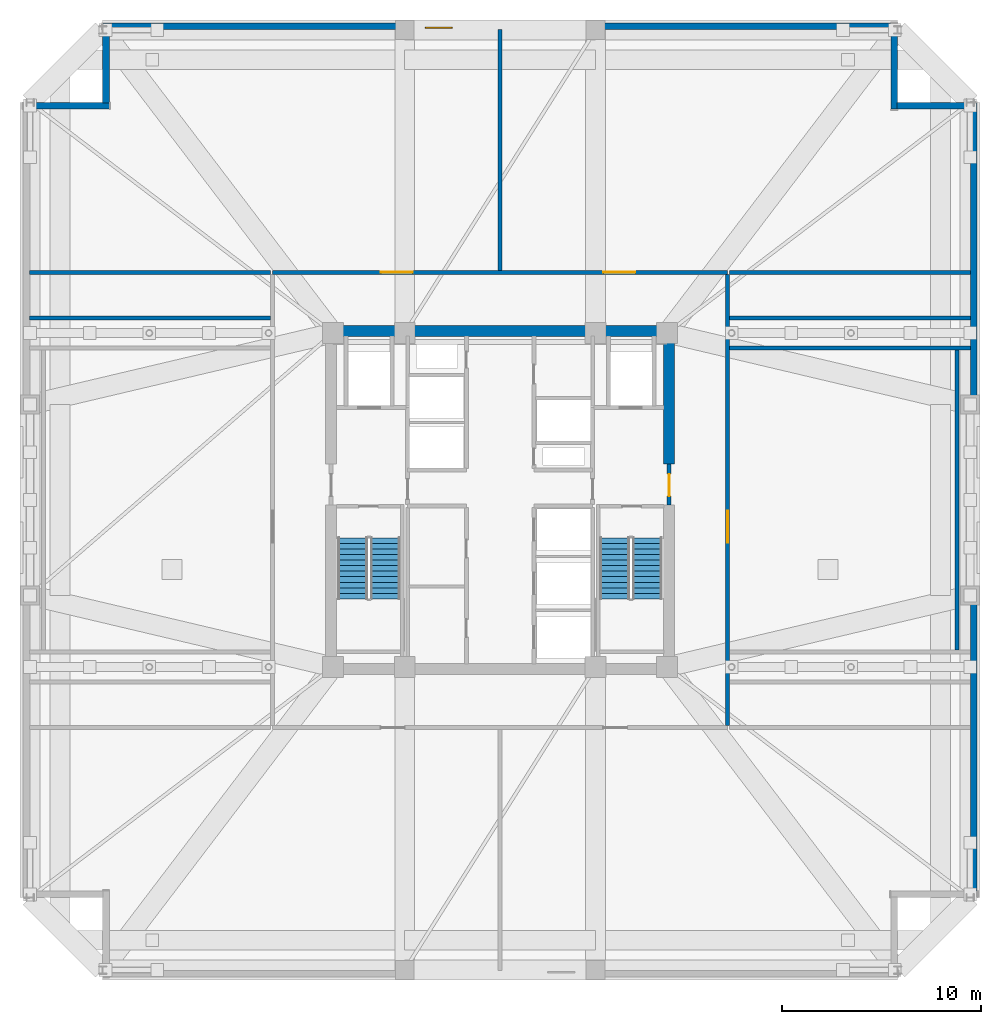
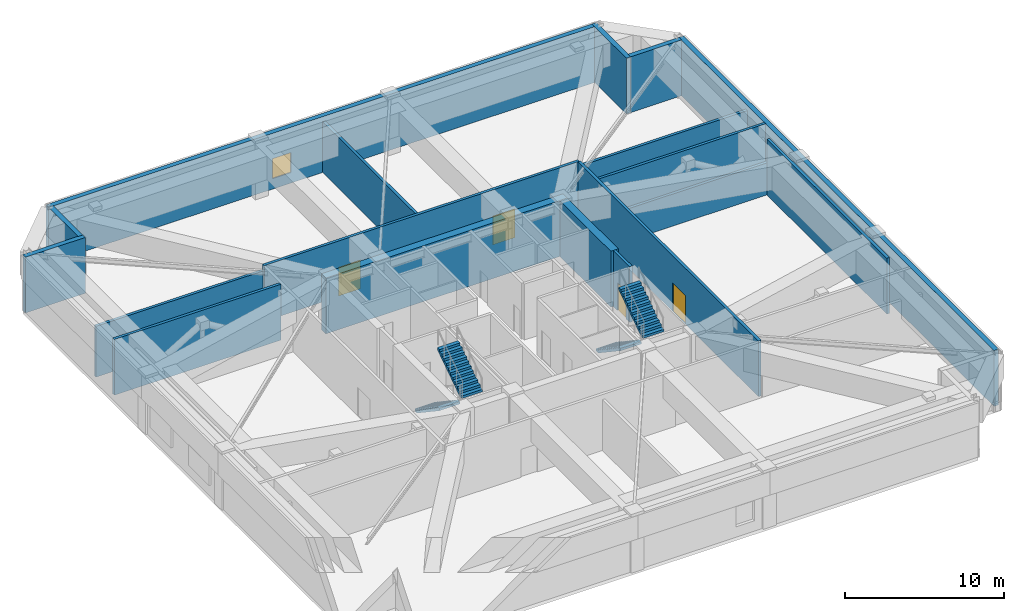
# One storey, part 9 of 13: 18 walls, 4 doors, 4 stair flights, 1 window, 5 openings, 2 elements without a shape of their own.
"""IFC4 building model written with IfcOpenShell, lengths in metres."""

from ifc_helpers import new_model, si_unit, direction, frame, frame_2d, origin, place, context, subcontext, project, spatial, polyline, rectangle, outline, extrude, material, layer, layer_set, type_object, element, fill, aggregate, save


model = new_model("IFC4")

# Units and contexts
model_context = context("Model", 3, precision=1e-05, world=origin(), true_north=direction((0.0, 1.0)))
body_context = subcontext(model_context, "Body", "Model", "MODEL_VIEW")
ifc_project = project(units=[si_unit("LENGTHUNIT", "METRE"), si_unit("AREAUNIT", "SQUARE_METRE"), si_unit("VOLUMEUNIT", "CUBIC_METRE"), si_unit("PLANEANGLEUNIT", "RADIAN"), si_unit("MASSUNIT", "GRAM", prefix="KILO")], contexts=[model_context])

# Site, building, storey
site_placement = place(None, origin())
site = spatial("IfcSite", under=ifc_project, at=site_placement, CompositionType="ELEMENT")
building_placement = place(site_placement, origin())
building = spatial("IfcBuilding", under=site, at=building_placement, Name="Cairnveth Concourse Tower", CompositionType="ELEMENT")
storey_placement = place(building_placement, frame((0.0, 0.0, 193.5)))
storey = spatial("IfcBuildingStorey", under=building, at=storey_placement, Name="L53", CompositionType="ELEMENT", Elevation=193.5)

# Walls
ifc_material_1 = material(Name="Concrete N80 (80 MPa)", Category="concrete")
ifc_layer_1 = layer(ifc_material_1, 0.550048828125)
ifc_layer_set_1 = layer_set([ifc_layer_1], Name="Concrete N80 (80 MPa)")
wall_type_1 = type_object("IfcWallType", Name="CORE SHEAR WALL 550", PredefinedType="SHEAR", material=ifc_layer_set_1)
wall_1_placement = place(storey_placement, frame((43.22509765625, 47.5, 0.0), z_axis=(0.0, 0.0, 1.0), x_axis=(1.0, 0.0, 0.0)))
element("IfcWall", 1, at=wall_1_placement, inside=storey, type_object=wall_type_1, Name="Core North Shear Wall L53", PredefinedType="SHEAR", context=body_context, shape_type="SweptSolid", body=[
    extrude(rectangle(XDim=17.5498046875, YDim=0.550048828125, at=frame_2d((8.77490234375, 0.0))), origin(), (0.0, 0.0, 1.0), 4.2900390625),
])
wall_2_placement = place(storey_placement, frame((60.5, 40.800048828125, 0.0), z_axis=(0.0, 0.0, 1.0), x_axis=(0.0, 1.0, 0.0)))
element("IfcWall", 2, at=wall_2_placement, inside=storey, type_object=wall_type_1, Name="Core East Shear Wall N L53", PredefinedType="SHEAR", context=body_context, shape_type="SweptSolid", body=[
    extrude(rectangle(XDim=6.43505859375, YDim=0.550048828125, at=frame_2d((3.217529296875, 0.0))), origin(), (0.0, 0.0, 1.0), 4.2900390625),
])

# Wall, opening, door
ifc_material_2 = material(Name="Concrete N50 (50 MPa)", Category="concrete")
ifc_layer_2 = layer(ifc_material_2, 0.199951171875)
ifc_layer_set_2 = layer_set([ifc_layer_2], Name="Concrete N50 (50 MPa)")
wall_type_2 = type_object("IfcWallType", Name="FIRE SHAFT WALL 200", PredefinedType="SOLIDWALL", material=ifc_layer_set_2)
wall_3_placement = place(storey_placement, frame((60.5, 38.75, 0.0), z_axis=(0.0, 0.0, 1.0), x_axis=(0.0, 1.0, 0.0)))
wall_3 = element("IfcWall", 3, at=wall_3_placement, inside=storey, type_object=wall_type_2, Name="Interior Wall IW-L53-020", PredefinedType="SOLIDWALL", context=body_context, shape_type="SweptSolid", body=[
    extrude(rectangle(XDim=2.050048828125, YDim=0.199951171875, at=frame_2d((1.02490234375, 0.0))), origin(), (0.0, 0.0, 1.0), 4.2900390625),
])
opening_1_placement = place(wall_3_placement, frame((0.449951171875, 0.0, 0.0)))
opening_1 = element("IfcOpeningElement", 4, at=opening_1_placement, cuts=wall_3, Name="Opening ID06", PredefinedType="OPENING", context=body_context, shape_type="SweptSolid", body=[
    extrude(rectangle(XDim=1.10009765625, YDim=2.14990234375, at=frame_2d((0.550048828125, 1.074951171875))), frame((0.0, 0.10986328125, 0.0), z_axis=(0.0, -1.0, 0.0), x_axis=(1.0, 0.0, 0.0)), (0.0, 0.0, 1.0), 0.219970703125),
])
ifc_material_3 = material(Name="Steel Grade 350", Category="steel")
door_type_1 = type_object("IfcDoorType", Name="FIRE CORRIDOR DOOR 1100X2150", OperationType="NOTDEFINED", PredefinedType="DOOR", material=ifc_material_3)
door_1_placement = place(opening_1_placement, origin())
door_1 = element("IfcDoor", 5, at=door_1_placement, inside=storey, type_object=door_type_1, Name="East Wing to FF Lobby Door L53", OperationType="SINGLE_SWING_RIGHT", OverallHeight=2.14990234375, OverallWidth=1.10009765625, PredefinedType="DOOR", context=body_context, shape_type="SweptSolid", body=[
    extrude(rectangle(XDim=1.10009765625, YDim=2.14990234375, at=frame_2d((0.550048828125, 1.074951171875))), frame((0.0, 0.02490234375, 0.0), z_axis=(0.0, -1.0, 0.0), x_axis=(1.0, 0.0, 0.0)), (0.0, 0.0, 1.0), 0.050048828125),
])
fill(opening_1, door_1)

# Wall, openings, doors
wall_4_placement = place(storey_placement, frame((40.550048828125, 50.449951171875, 0.0), z_axis=(0.0, 0.0, 1.0), x_axis=(1.0, 0.0, 0.0)))
wall_4 = element("IfcWall", 6, at=wall_4_placement, inside=storey, type_object=wall_type_2, Name="Interior Wall IW-L53-037", PredefinedType="SOLIDWALL", context=body_context, shape_type="SweptSolid", body=[
    extrude(rectangle(XDim=22.89990234375, YDim=0.199951171875, at=frame_2d((11.449951171875, 0.0))), origin(), (0.0, 0.0, 1.0), 4.2900390625),
])
opening_2_placement = place(wall_4_placement, frame((5.449951171875, 0.0, 0.0)))
opening_2 = element("IfcOpeningElement", 7, at=opening_2_placement, cuts=wall_4, Name="Opening ID02", PredefinedType="OPENING", context=body_context, shape_type="SweptSolid", body=[
    extrude(rectangle(XDim=1.60009765625, YDim=2.199951171875, at=frame_2d((0.800048828125, 1.10009765625))), frame((0.0, 0.10986328125, 0.0), z_axis=(0.0, -1.0, 0.0), x_axis=(1.0, 0.0, 0.0)), (0.0, 0.0, 1.0), 0.219970703125),
])
opening_3_placement = place(wall_4_placement, frame((16.64990234375, 0.0, 0.0)))
opening_3 = element("IfcOpeningElement", 8, at=opening_3_placement, cuts=wall_4, Name="Opening ID02", PredefinedType="OPENING", context=body_context, shape_type="SweptSolid", body=[
    extrude(rectangle(XDim=1.60009765625, YDim=2.199951171875, at=frame_2d((0.800048828125, 1.10009765625))), frame((0.0, 0.10986328125, 0.0), z_axis=(0.0, -1.0, 0.0), x_axis=(1.0, 0.0, 0.0)), (0.0, 0.0, 1.0), 0.219970703125),
])
door_type_2 = type_object("IfcDoorType", Name="PLANT DOUBLE DOOR 1600X2200", OperationType="DOUBLE_DOOR_SINGLE_SWING", PredefinedType="DOOR", material=ifc_material_3)
door_2_placement = place(opening_2_placement, origin())
door_2 = element("IfcDoor", 9, at=door_2_placement, inside=storey, type_object=door_type_2, Name="Interior Door DR-L53-017", OperationType="DOUBLE_DOOR_SINGLE_SWING", OverallHeight=2.199951171875, OverallWidth=1.60009765625, PredefinedType="DOOR", context=body_context, shape_type="SweptSolid", body=[
    extrude(rectangle(XDim=1.60009765625, YDim=2.199951171875, at=frame_2d((0.800048828125, 1.10009765625))), frame((0.0, 0.02490234375, 0.0), z_axis=(0.0, -1.0, 0.0), x_axis=(1.0, 0.0, 0.0)), (0.0, 0.0, 1.0), 0.050048828125),
])
fill(opening_2, door_2)
door_3_placement = place(opening_3_placement, origin())
door_3 = element("IfcDoor", 10, at=door_3_placement, inside=storey, type_object=door_type_2, Name="Interior Door DR-L53-018", OperationType="DOUBLE_DOOR_SINGLE_SWING", OverallHeight=2.199951171875, OverallWidth=1.60009765625, PredefinedType="DOOR", context=body_context, shape_type="SweptSolid", body=[
    extrude(rectangle(XDim=1.60009765625, YDim=2.199951171875, at=frame_2d((0.800048828125, 1.10009765625))), frame((0.0, 0.02490234375, 0.0), z_axis=(0.0, -1.0, 0.0), x_axis=(1.0, 0.0, 0.0)), (0.0, 0.0, 1.0), 0.050048828125),
])
fill(opening_3, door_3)

# Wall, opening, door
wall_5_placement = place(storey_placement, frame((63.449951171875, 27.64990234375, 0.0), z_axis=(0.0, 0.0, 1.0), x_axis=(0.0, 1.0, 0.0)))
wall_5 = element("IfcWall", 11, at=wall_5_placement, inside=storey, type_object=wall_type_2, Name="Interior Wall IW-L53-039", PredefinedType="SOLIDWALL", context=body_context, shape_type="SweptSolid", body=[
    extrude(rectangle(XDim=22.7001953125, YDim=0.199951171875, at=frame_2d((11.35009765625, 0.0))), origin(), (0.0, 0.0, 1.0), 4.2900390625),
])
opening_4_placement = place(wall_5_placement, frame((9.199951171875, 0.0, 0.0)))
opening_4 = element("IfcOpeningElement", 12, at=opening_4_placement, cuts=wall_5, Name="Opening ID02", PredefinedType="OPENING", context=body_context, shape_type="SweptSolid", body=[
    extrude(rectangle(XDim=1.60009765625, YDim=2.199951171875, at=frame_2d((0.800048828125, 1.10009765625))), frame((0.0, 0.10986328125, 0.0), z_axis=(0.0, -1.0, 0.0), x_axis=(1.0, 0.0, 0.0)), (0.0, 0.0, 1.0), 0.219970703125),
])
door_4_placement = place(opening_4_placement, origin())
door_4 = element("IfcDoor", 13, at=door_4_placement, inside=storey, type_object=door_type_2, Name="Interior Door DR-L53-020", OperationType="DOUBLE_DOOR_SINGLE_SWING", OverallHeight=2.199951171875, OverallWidth=1.60009765625, PredefinedType="DOOR", context=body_context, shape_type="SweptSolid", body=[
    extrude(rectangle(XDim=1.60009765625, YDim=2.199951171875, at=frame_2d((0.800048828125, 1.10009765625))), frame((0.0, 0.02490234375, 0.0), z_axis=(0.0, -1.0, 0.0), x_axis=(1.0, 0.0, 0.0)), (0.0, 0.0, 1.0), 0.050048828125),
])
fill(opening_4, door_4)

# Walls
wall_6_placement = place(storey_placement, frame((63.550048828125, 46.64990234375, 0.0), z_axis=(0.0, 0.0, 1.0), x_axis=(1.0, 0.0, 0.0)))
element("IfcWall", 14, at=wall_6_placement, inside=storey, type_object=wall_type_2, Name="Interior Wall IW-L53-045", PredefinedType="SOLIDWALL", context=body_context, shape_type="SweptSolid", body=[
    extrude(rectangle(XDim=12.125, YDim=0.199951171875, at=frame_2d((6.0625, 0.0))), origin(), (0.0, 0.0, 1.0), 2.465087890625),
])
for number, where, z_axis, x_axis, name in (
    (15, (28.324951171875, 48.14990234375, 0.0), (0.0, 0.0, 1.0), (1.0, 0.0, 0.0), "Interior Wall IW-L53-046"),
    (16, (63.550048828125, 48.14990234375, 0.0), (0.0, 0.0, 1.0), (1.0, 0.0, 0.0), "Interior Wall IW-L53-047"),
):
    element("IfcWall", number, at=place(storey_placement, frame(where, z_axis=z_axis, x_axis=x_axis)), inside=storey, type_object=wall_type_2, Name=name, PredefinedType="SOLIDWALL", context=body_context, shape_type="SweptSolid", body=[
        extrude(rectangle(XDim=12.125, YDim=0.199951171875, at=frame_2d((6.0625, 0.0))), origin(), (0.0, 0.0, 1.0), 4.2900390625),
    ])
wall_7_placement = place(storey_placement, frame((74.97998046875, 31.449951171875, 0.0), z_axis=(0.0, 0.0, 1.0), x_axis=(0.0, 1.0, 0.0)))
element("IfcWall", 17, at=wall_7_placement, inside=storey, type_object=wall_type_2, Name="Interior Wall IW-L53-049", PredefinedType="SOLIDWALL", context=body_context, shape_type="SweptSolid", body=[
    extrude(rectangle(XDim=15.10009765625, YDim=0.199951171875, at=frame_2d((7.550048828125, 0.0))), origin(), (0.0, 0.0, 1.0), 4.2900390625),
])
for number, where, z_axis, x_axis, name in (
    (18, (52.0, 50.550048828125, 0.0), (0.0, 0.0, 1.0), (0.0, 1.0, 0.0), "Interior Wall IW-L53-053"),
    (19, (28.324951171875, 50.449951171875, 0.0), (0.0, 0.0, 1.0), (1.0, 0.0, 0.0), "Interior Wall IW-L53-054"),
    (20, (63.550048828125, 50.449951171875, 0.0), (0.0, 0.0, 1.0), (1.0, 0.0, 0.0), "Interior Wall IW-L53-055"),
):
    element("IfcWall", number, at=place(storey_placement, frame(where, z_axis=z_axis, x_axis=x_axis)), inside=storey, type_object=wall_type_2, Name=name, PredefinedType="SOLIDWALL", context=body_context, shape_type="SweptSolid", body=[
        extrude(rectangle(XDim=12.125, YDim=0.199951171875, at=frame_2d((6.0625, 0.0))), origin(), (0.0, 0.0, 1.0), 3.906005859375),
    ])
ifc_material_4 = material(Name="Hawthorn Red-Ochre Fired Clay Brick Masonry", Category="masonry")
ifc_layer_3 = layer(ifc_material_4, 0.340087890625)
ifc_layer_set_3 = layer_set([ifc_layer_3], Name="Hawthorn Red-Ochre Fired Clay Brick Masonry")
wall_type_3 = type_object("IfcWallType", Name="ZONE 2 BRICK PIER SPANDREL WALL 340", PredefinedType="SOLIDWALL", material=ifc_layer_set_3)
wall_8_placement = place(storey_placement, frame((28.0, 58.830078125, 0.0), z_axis=(0.0, 0.0, 1.0), x_axis=(1.0, 0.0, 0.0)))
element("IfcWall", 21, at=wall_8_placement, inside=storey, type_object=wall_type_3, Name="Exterior Wall EW-L53-S03", PredefinedType="SOLIDWALL", context=body_context, shape_type="SweptSolid", body=[
    extrude(rectangle(XDim=4.340087890625, YDim=0.340087890625, at=frame_2d((2.169921875, 0.0))), origin(), (0.0, 0.0, 1.0), 4.2900390625),
])
wall_9_placement = place(storey_placement, frame((32.169921875, 58.97802734375, 0.0), z_axis=(0.0, 0.0, 1.0), x_axis=(0.0, 1.0, 0.0)))
element("IfcWall", 22, at=wall_9_placement, inside=storey, type_object=wall_type_3, Name="Exterior Wall EW-L53-S04", PredefinedType="SOLIDWALL", context=body_context, shape_type="SweptSolid", body=[
    extrude(rectangle(XDim=3.703857421875, YDim=0.340087890625, at=frame_2d((1.85205078125, 0.0))), origin(), (0.0, 0.0, 1.0), 4.2900390625),
])

# Wall, opening, window
wall_10_placement = place(storey_placement, frame((32.0, 62.830078125, 0.0), z_axis=(0.0, 0.0, 1.0), x_axis=(1.0, 0.0, 0.0)))
wall_10 = element("IfcWall", 23, at=wall_10_placement, inside=storey, type_object=wall_type_3, Name="Exterior Wall EW-L53-S05", PredefinedType="SOLIDWALL", context=body_context, shape_type="SweptSolid", body=[
    extrude(rectangle(XDim=39.681884765625, YDim=0.340087890625, at=frame_2d((19.8408203125, 0.0))), origin(), (0.0, 0.0, 1.0), 4.2900390625),
])
opening_5_placement = place(wall_10_placement, frame((16.240966796875, 0.0, 0.800048828125)))
opening_5 = element("IfcOpeningElement", 24, at=opening_5_placement, cuts=wall_10, Name="Opening W02", PredefinedType="OPENING", context=body_context, shape_type="SweptSolid", body=[
    extrude(rectangle(XDim=1.35009765625, YDim=1.5400390625, at=frame_2d((0.675048828125, 0.77001953125))), frame((0.0, 0.179931640625, 0.0), z_axis=(0.0, -1.0, 0.0), x_axis=(1.0, 0.0, 0.0)), (0.0, 0.0, 1.0), 0.360107421875),
])
ifc_material_5 = material(Name="Double Glazed Low-E Clear Glass", Category="glass")
window_type = type_object("IfcWindowType", Name="DEEP-SET GOTHIC LANCET WINDOW 1350X1800", PartitioningType="DOUBLE_PANEL_VERTICAL", PredefinedType="WINDOW", material=ifc_material_5)
window_placement = place(opening_5_placement, origin())
window = element("IfcWindow", 25, at=window_placement, inside=storey, type_object=window_type, Name="WIN-L53-REF-S5", OverallHeight=1.5400390625, OverallWidth=1.35009765625, PartitioningType="SINGLE_PANEL", PredefinedType="WINDOW", context=body_context, shape_type="SweptSolid", body=[
    extrude(rectangle(XDim=1.35009765625, YDim=1.5400390625, at=frame_2d((0.675048828125, 0.77001953125))), frame((0.0, -0.0400390625, 0.0), z_axis=(0.0, -1.0, 0.0), x_axis=(1.0, 0.0, 0.0)), (0.0, 0.0, 1.0), 0.06005859375),
])
fill(opening_5, window)

# Walls
wall_11_placement = place(storey_placement, frame((71.830078125, 63.0, 0.0), z_axis=(0.0, 0.0, 1.0), x_axis=(0.0, -1.0, 0.0)))
element("IfcWall", 26, at=wall_11_placement, inside=storey, type_object=wall_type_3, Name="Exterior Wall EW-L53-S06", PredefinedType="SOLIDWALL", context=body_context, shape_type="SweptSolid", body=[
    extrude(rectangle(XDim=4.340087890625, YDim=0.340087890625, at=frame_2d((2.169921875, 0.0))), origin(), (0.0, 0.0, 1.0), 4.2900390625),
])
wall_12_placement = place(storey_placement, frame((71.97802734375, 58.830078125, 0.0), z_axis=(0.0, 0.0, 1.0), x_axis=(1.0, 0.0, 0.0)))
element("IfcWall", 27, at=wall_12_placement, inside=storey, type_object=wall_type_3, Name="Exterior Wall EW-L53-S07", PredefinedType="SOLIDWALL", context=body_context, shape_type="SweptSolid", body=[
    extrude(rectangle(XDim=3.703857421875, YDim=0.340087890625, at=frame_2d((1.85205078125, 0.0))), origin(), (0.0, 0.0, 1.0), 4.2900390625),
])
wall_13_placement = place(storey_placement, frame((75.830078125, 59.0, 0.0), z_axis=(0.0, 0.0, 1.0), x_axis=(0.0, -1.0, 0.0)))
element("IfcWall", 28, at=wall_13_placement, inside=storey, type_object=wall_type_3, Name="Exterior Wall EW-L53-S08", PredefinedType="SOLIDWALL", context=body_context, shape_type="SweptSolid", body=[
    extrude(rectangle(XDim=39.681884765625, YDim=0.340087890625, at=frame_2d((19.8408203125, 0.0))), origin(), (0.0, 0.0, 1.0), 4.2900390625),
])

# Stair, stair flights
ifc_material_6 = material(Name="Precast concrete N50 (50 MPa)", Category="concrete")
stair_type = type_object("IfcStairType", Name="CORE DOG-LEG FIRE STAIR 1500", PredefinedType="HALF_TURN_STAIR", material=ifc_material_6)
stair_1_placement = place(storey_placement, origin())
stair_1 = element("IfcStair", 29, at=stair_1_placement, inside=storey, type_object=stair_type, Name="L53 Fire-Isolated Stair ST-1", PredefinedType="HALF_TURN_STAIR")
stair_flight_type = type_object("IfcStairFlightType", Name="PRECAST CONCRETE STAIR FLIGHT 1500", PredefinedType="STRAIGHT", material=ifc_material_6)
stair_flight_1_placement = place(storey_placement, frame((44.590087890625, 37.10009765625, 0.0), z_axis=(0.0, 0.0, 1.0), x_axis=(0.0, -1.0, 0.0)))
stair_flight_1 = element("IfcStairFlight", 30, at=stair_flight_1_placement, type_object=stair_flight_type, Name="ST-1 flight 1", NumberOfRisers=12, NumberOfTreads=11, PredefinedType="STRAIGHT", RiserHeight=0.1875, TreadLength=0.28, context=body_context, shape_type="SweptSolid", body=[
    extrude(outline(polyline([(0.0, 0.0), (0.0, 0.1875), (0.280029296875, 0.1875), (0.280029296875, 0.375), (0.56005859375, 0.375), (0.56005859375, 0.5625), (0.840087890625, 0.5625), (0.840087890625, 0.75), (1.1201171875, 0.75), (1.1201171875, 0.9375), (1.39990234375, 0.9375), (1.39990234375, 1.125), (1.679931640625, 1.125), (1.679931640625, 1.3125), (1.9599609375, 1.3125), (1.9599609375, 1.5), (2.239990234375, 1.5), (2.239990234375, 1.6875), (2.52001953125, 1.6875), (2.52001953125, 1.875), (2.800048828125, 1.875), (2.800048828125, 2.0625), (3.080078125, 2.0625), (3.080078125, 2.25), (3.080078125, 1.882080078125), (0.26953125, 0.0), (0.0, 0.0)])), frame((0.0, 0.75, 0.0), z_axis=(0.0, -1.0, 0.0), x_axis=(1.0, 0.0, 0.0)), (0.0, 0.0, 1.0), 1.5),
])
stair_flight_2_placement = place(storey_placement, frame((46.22998046875, 34.02001953125, 2.25), z_axis=(0.0, 0.0, 1.0), x_axis=(0.0, 1.0, 0.0)))
stair_flight_2 = element("IfcStairFlight", 31, at=stair_flight_2_placement, type_object=stair_flight_type, Name="ST-1 flight 2", NumberOfRisers=12, NumberOfTreads=11, PredefinedType="STRAIGHT", RiserHeight=0.1875, TreadLength=0.28, context=body_context, shape_type="SweptSolid", body=[
    extrude(outline(polyline([(0.0, 0.0), (0.0, 0.1875), (0.280029296875, 0.1875), (0.280029296875, 0.375), (0.56005859375, 0.375), (0.56005859375, 0.5625), (0.840087890625, 0.5625), (0.840087890625, 0.75), (1.1201171875, 0.75), (1.1201171875, 0.9375), (1.39990234375, 0.9375), (1.39990234375, 1.125), (1.679931640625, 1.125), (1.679931640625, 1.3125), (1.9599609375, 1.3125), (1.9599609375, 1.5), (2.239990234375, 1.5), (2.239990234375, 1.6875), (2.52001953125, 1.6875), (2.52001953125, 1.875), (2.800048828125, 1.875), (2.800048828125, 2.0625), (3.080078125, 2.0625), (3.080078125, 2.25), (3.080078125, 1.882080078125), (0.26953125, 0.0), (0.0, 0.0)])), frame((0.0, 0.75, 0.0), z_axis=(0.0, -1.0, 0.0), x_axis=(1.0, 0.0, 0.0)), (0.0, 0.0, 1.0), 1.5),
])
aggregate(stair_1, [stair_flight_1, stair_flight_2])

stair_2_placement = place(storey_placement, origin())
stair_2 = element("IfcStair", 32, at=stair_2_placement, inside=storey, type_object=stair_type, Name="L53 Fire-Isolated Stair ST-2", PredefinedType="HALF_TURN_STAIR")
stair_flight_3_placement = place(storey_placement, frame((57.77001953125, 37.10009765625, 0.0), z_axis=(0.0, 0.0, 1.0), x_axis=(0.0, -1.0, 0.0)))
stair_flight_3 = element("IfcStairFlight", 33, at=stair_flight_3_placement, type_object=stair_flight_type, Name="ST-2 flight 1", NumberOfRisers=12, NumberOfTreads=11, PredefinedType="STRAIGHT", RiserHeight=0.1875, TreadLength=0.28, context=body_context, shape_type="SweptSolid", body=[
    extrude(outline(polyline([(0.0, 0.0), (0.0, 0.1875), (0.280029296875, 0.1875), (0.280029296875, 0.375), (0.56005859375, 0.375), (0.56005859375, 0.5625), (0.840087890625, 0.5625), (0.840087890625, 0.75), (1.1201171875, 0.75), (1.1201171875, 0.9375), (1.39990234375, 0.9375), (1.39990234375, 1.125), (1.679931640625, 1.125), (1.679931640625, 1.3125), (1.9599609375, 1.3125), (1.9599609375, 1.5), (2.239990234375, 1.5), (2.239990234375, 1.6875), (2.52001953125, 1.6875), (2.52001953125, 1.875), (2.800048828125, 1.875), (2.800048828125, 2.0625), (3.080078125, 2.0625), (3.080078125, 2.25), (3.080078125, 1.882080078125), (0.26953125, 0.0), (0.0, 0.0)])), frame((0.0, 0.75, 0.0), z_axis=(0.0, -1.0, 0.0), x_axis=(1.0, 0.0, 0.0)), (0.0, 0.0, 1.0), 1.5),
])
stair_flight_4_placement = place(storey_placement, frame((59.409912109375, 34.02001953125, 2.25), z_axis=(0.0, 0.0, 1.0), x_axis=(0.0, 1.0, 0.0)))
stair_flight_4 = element("IfcStairFlight", 34, at=stair_flight_4_placement, type_object=stair_flight_type, Name="ST-2 flight 2", NumberOfRisers=12, NumberOfTreads=11, PredefinedType="STRAIGHT", RiserHeight=0.1875, TreadLength=0.28, context=body_context, shape_type="SweptSolid", body=[
    extrude(outline(polyline([(0.0, 0.0), (0.0, 0.1875), (0.280029296875, 0.1875), (0.280029296875, 0.375), (0.56005859375, 0.375), (0.56005859375, 0.5625), (0.840087890625, 0.5625), (0.840087890625, 0.75), (1.1201171875, 0.75), (1.1201171875, 0.9375), (1.39990234375, 0.9375), (1.39990234375, 1.125), (1.679931640625, 1.125), (1.679931640625, 1.3125), (1.9599609375, 1.3125), (1.9599609375, 1.5), (2.239990234375, 1.5), (2.239990234375, 1.6875), (2.52001953125, 1.6875), (2.52001953125, 1.875), (2.800048828125, 1.875), (2.800048828125, 2.0625), (3.080078125, 2.0625), (3.080078125, 2.25), (3.080078125, 1.882080078125), (0.26953125, 0.0), (0.0, 0.0)])), frame((0.0, 0.75, 0.0), z_axis=(0.0, -1.0, 0.0), x_axis=(1.0, 0.0, 0.0)), (0.0, 0.0, 1.0), 1.5),
])
aggregate(stair_2, [stair_flight_3, stair_flight_4])

save(model, "model.ifc")
